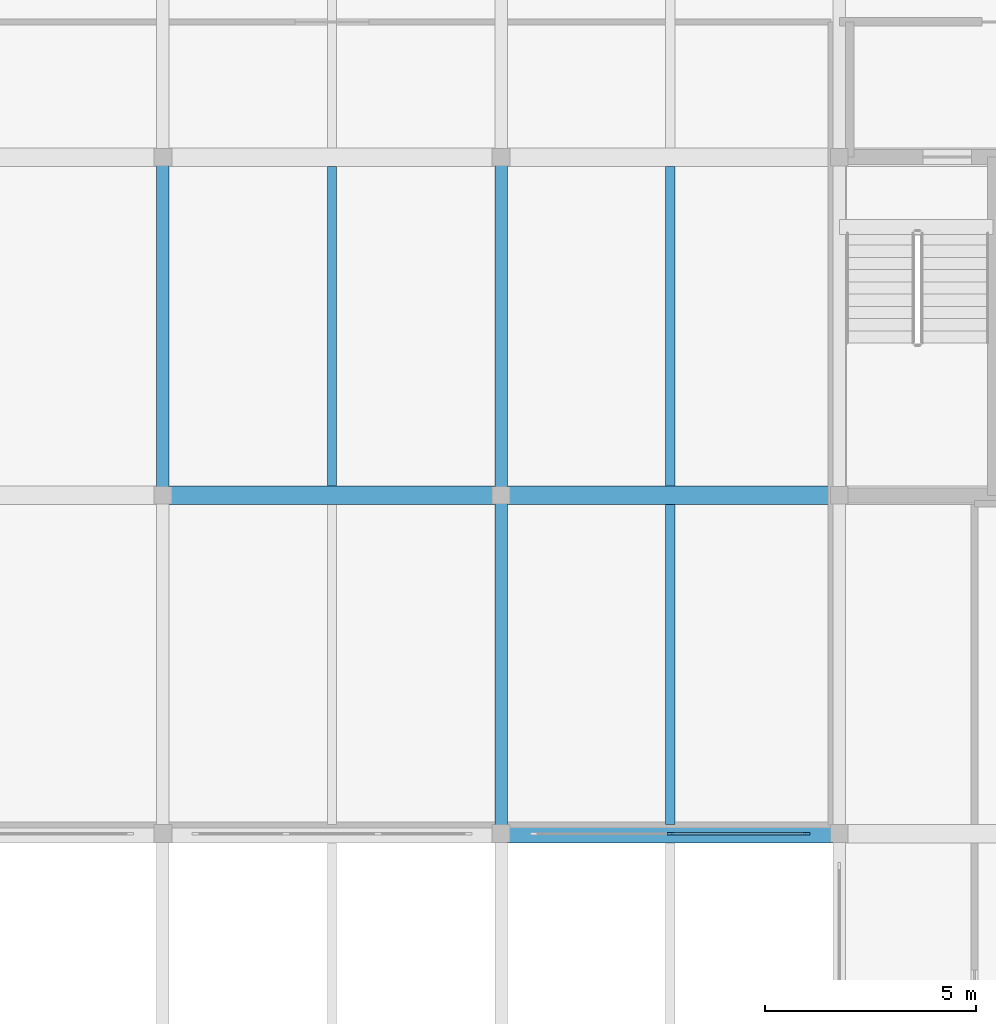
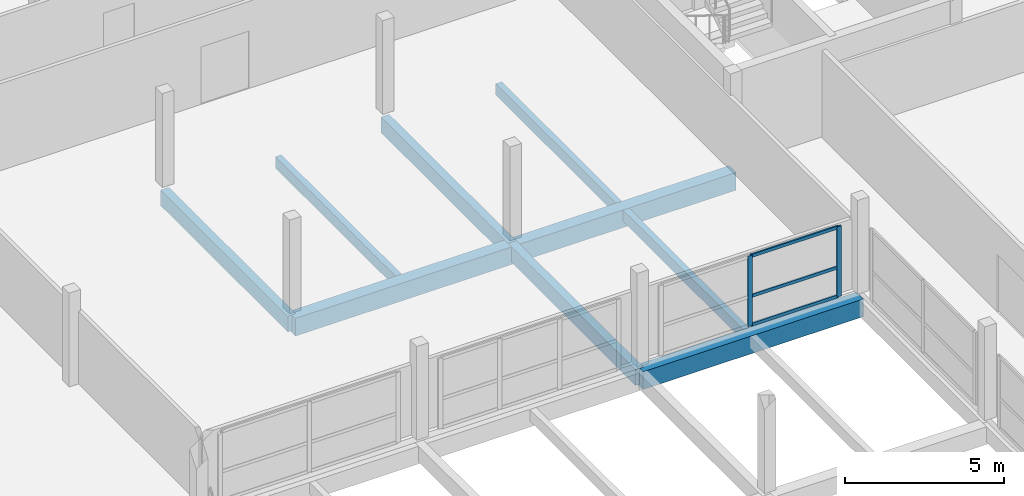
# One storey, part 12 of 51: 9 beams, 5 members, 1 element without a shape of its own.
"""IFC4 building model written with IfcOpenShell, lengths in metres."""

from ifc_helpers import new_model, si_unit, direction, frame, origin, origin_2d, place, context, subcontext, project, spatial, rectangle, extrude, material, material_profile, profile_set, type_object, element, aggregate, save


model = new_model("IFC4")

# Units and contexts
model_context = context("Model", 3, precision=1e-05, world=origin(), true_north=direction((0.0, 1.0)))
body_context = subcontext(model_context, "Body", "Model", "MODEL_VIEW")
ifc_project = project(units=[si_unit("LENGTHUNIT", "METRE"), si_unit("AREAUNIT", "SQUARE_METRE"), si_unit("VOLUMEUNIT", "CUBIC_METRE"), si_unit("PLANEANGLEUNIT", "RADIAN"), si_unit("MASSUNIT", "GRAM", prefix="KILO")], contexts=[model_context])

# Site, building, storey
site_placement = place(None, origin())
site = spatial("IfcSite", under=ifc_project, at=site_placement, CompositionType="ELEMENT")
building_placement = place(site_placement, origin())
building = spatial("IfcBuilding", under=site, at=building_placement, Name="Vharandega Faculty of Natural Sciences", CompositionType="ELEMENT")
storey_placement = place(building_placement, frame((0.0, 0.0, 14.39990234375)))
storey = spatial("IfcBuildingStorey", under=building, at=storey_placement, Name="L03", CompositionType="ELEMENT", Elevation=14.39990234375)

# Curtain wall, members
ifc_material_1 = material(Name="Aluminium and solar-control glass curtain wall", Category="aluminium")
curtain_wall_type = type_object("IfcCurtainWallType", Name="Unitised Curtain Wall System CW-27", PredefinedType="NOTDEFINED", material=ifc_material_1)
curtain_wall_placement = place(storey_placement, origin())
curtain_wall = element("IfcCurtainWall", 1, at=curtain_wall_placement, inside=storey, type_object=curtain_wall_type, Name="Curtain Wall CW-L03-166", PredefinedType="NOTDEFINED")
ifc_material_2 = material(Name="Thermally broken aluminium 6063-T6", Category="aluminium")
ifc_material_profile_1 = material_profile(ifc_material_2, rectangle(XDim=0.06005859375, YDim=0.159912109375, at=origin_2d()), Name="ALU 60x160")
ifc_profile_set_1 = profile_set([ifc_material_profile_1], Name="Thermally broken aluminium 6063-T6")
member_type_1 = type_object("IfcMemberType", Name="CW Mullion 60x160", PredefinedType="MULLION", material=ifc_profile_set_1)
member_1_placement = place(storey_placement, frame((28.0, 32.0, 0.0), z_axis=(0.0, 0.0, 1.0), x_axis=(0.0, 1.0, 0.0)))
member_1 = element("IfcMember", 2, at=member_1_placement, type_object=member_type_1, Name="CW-27 mullion 2", PredefinedType="MULLION", context=body_context, shape_type="SweptSolid", body=[
    extrude(rectangle(XDim=0.06005859375, YDim=0.159912109375, at=origin_2d()), origin(), (0.0, 0.0, 1.0), 2.7001953125),
])
member_2_placement = place(storey_placement, frame((31.22998046875, 32.0, 0.0), z_axis=(0.0, 0.0, 1.0), x_axis=(0.0, 1.0, 0.0)))
member_2 = element("IfcMember", 3, at=member_2_placement, type_object=member_type_1, Name="CW-27 mullion 3", PredefinedType="MULLION", context=body_context, shape_type="SweptSolid", body=[
    extrude(rectangle(XDim=0.06005859375, YDim=0.159912109375, at=origin_2d()), origin(), (0.0, 0.0, 1.0), 2.7001953125),
])
ifc_material_3 = material(Name="Thermally broken aluminium 6063-T6", Category="aluminium")
ifc_material_profile_2 = material_profile(ifc_material_3, rectangle(XDim=0.06005859375, YDim=0.1201171875, at=origin_2d()), Name="ALU 60x120")
ifc_profile_set_2 = profile_set([ifc_material_profile_2], Name="Thermally broken aluminium 6063-T6")
member_type_2 = type_object("IfcMemberType", Name="CW Transom 60x120", PredefinedType="USERDEFINED", material=ifc_profile_set_2)
member_3_placement = place(storey_placement, frame((28.030029296875, 32.0, 0.030029296875), z_axis=(1.0, 0.0, 0.0), x_axis=(0.0, 1.0, 0.0)))
member_3 = element("IfcMember", 4, at=member_3_placement, type_object=member_type_2, Name="CW-27 transom 2.1", ObjectType="TRANSOM", PredefinedType="USERDEFINED", context=body_context, shape_type="SweptSolid", body=[
    extrude(rectangle(XDim=0.06005859375, YDim=0.1201171875, at=origin_2d()), origin(), (0.0, 0.0, 1.0), 3.169921875),
])
member_4_placement = place(storey_placement, frame((28.030029296875, 32.0, 1.134033203125), z_axis=(1.0, 0.0, 0.0), x_axis=(0.0, 1.0, 0.0)))
member_4 = element("IfcMember", 5, at=member_4_placement, type_object=member_type_2, Name="CW-27 transom 2.2", ObjectType="TRANSOM", PredefinedType="USERDEFINED", context=body_context, shape_type="SweptSolid", body=[
    extrude(rectangle(XDim=0.06005859375, YDim=0.1201171875, at=origin_2d()), origin(), (0.0, 0.0, 1.0), 3.169921875),
])
member_5_placement = place(storey_placement, frame((28.030029296875, 32.0, 2.670166015625), z_axis=(1.0, 0.0, 0.0), x_axis=(0.0, 1.0, 0.0)))
member_5 = element("IfcMember", 6, at=member_5_placement, type_object=member_type_2, Name="CW-27 transom 2.3", ObjectType="TRANSOM", PredefinedType="USERDEFINED", context=body_context, shape_type="SweptSolid", body=[
    extrude(rectangle(XDim=0.06005859375, YDim=0.1201171875, at=origin_2d()), origin(), (0.0, 0.0, 1.0), 3.169921875),
])
aggregate(curtain_wall, [member_1, member_2, member_3, member_4, member_5])

# Beams
ifc_material_4 = material(Name="Glulam GL28h", Category="wood")
ifc_material_profile_3 = material_profile(ifc_material_4, rectangle(XDim=0.300048828125, YDim=0.60009765625, at=origin_2d()), Name="GL28h 300x600")
ifc_profile_set_3 = profile_set([ifc_material_profile_3], Name="Glulam GL28h")
beam_type_1 = type_object("IfcBeamType", Name="Glulam Floor Beam 300x600", PredefinedType="BEAM", material=ifc_profile_set_3)
for number, where, z_axis, x_axis, name in (
    (7, (16.0, 40.0, -0.539794921875), (0.0, 1.0, 0.0), (-1.0, 0.0, 0.0), "Beam L03 3/F-G"),
    (8, (24.0, 32.0, -0.539794921875), (0.0, 1.0, 0.0), (-1.0, 0.0, 0.0), "Beam L03 4/E-F"),
    (9, (24.0, 40.0, -0.539794921875), (0.0, 1.0, 0.0), (-1.0, 0.0, 0.0), "Beam L03 4/F-G"),
):
    element("IfcBeam", number, at=place(storey_placement, frame(where, z_axis=z_axis, x_axis=x_axis)), inside=storey, type_object=beam_type_1, Name=name, PredefinedType="BEAM", context=body_context, shape_type="SweptSolid", body=[
        extrude(rectangle(XDim=0.300048828125, YDim=0.60009765625, at=origin_2d()), origin(), (0.0, 0.0, 1.0), 8.0),
    ])
ifc_material_5 = material(Name="Glulam GL32h", Category="wood")
ifc_material_profile_4 = material_profile(ifc_material_5, rectangle(XDim=0.43994140625, YDim=0.679931640625, at=origin_2d()), Name="GL32h 440x680")
ifc_profile_set_4 = profile_set([ifc_material_profile_4], Name="Glulam GL32h")
beam_type_2 = type_object("IfcBeamType", Name="Glulam Girder 440x680", PredefinedType="BEAM", material=ifc_profile_set_4)
for number, where, z_axis, x_axis, name in (
    (10, (24.0, 32.0, -0.579833984375), (1.0, 0.0, 0.0), (0.0, 1.0, 0.0), "Beam L03 E/4-5"),
    (11, (16.0, 40.0, -0.579833984375), (1.0, 0.0, 0.0), (0.0, 1.0, 0.0), "Beam L03 F/3-4"),
    (12, (24.0, 40.0, -0.579833984375), (1.0, 0.0, 0.0), (0.0, 1.0, 0.0), "Beam L03 F/4-5"),
):
    element("IfcBeam", number, at=place(storey_placement, frame(where, z_axis=z_axis, x_axis=x_axis)), inside=storey, type_object=beam_type_2, Name=name, PredefinedType="BEAM", context=body_context, shape_type="SweptSolid", body=[
        extrude(rectangle(XDim=0.43994140625, YDim=0.679931640625, at=origin_2d()), origin(), (0.0, 0.0, 1.0), 8.0),
    ])
ifc_material_6 = material(Name="Glulam GL28h", Category="wood")
ifc_material_profile_5 = material_profile(ifc_material_6, rectangle(XDim=0.219970703125, YDim=0.43994140625, at=origin_2d()), Name="GL28h 220x440")
ifc_profile_set_5 = profile_set([ifc_material_profile_5], Name="Glulam GL28h")
beam_type_3 = type_object("IfcBeamType", Name="Glulam Secondary Joist 220x440", PredefinedType="JOIST", material=ifc_profile_set_5)
for number, where, z_axis, x_axis, name in (
    (13, (20.0, 40.219970703125, -0.4599609375), (0.0, 1.0, 0.0), (-1.0, 0.0, 0.0), "Secondary Joist L03 3-4/F-G"),
    (14, (28.0, 32.219970703125, -0.4599609375), (0.0, 1.0, 0.0), (-1.0, 0.0, 0.0), "Secondary Joist L03 4-5/E-F"),
    (15, (28.0, 40.219970703125, -0.4599609375), (0.0, 1.0, 0.0), (-1.0, 0.0, 0.0), "Secondary Joist L03 4-5/F-G"),
):
    element("IfcBeam", number, at=place(storey_placement, frame(where, z_axis=z_axis, x_axis=x_axis)), inside=storey, type_object=beam_type_3, Name=name, PredefinedType="JOIST", context=body_context, shape_type="SweptSolid", body=[
        extrude(rectangle(XDim=0.219970703125, YDim=0.43994140625, at=origin_2d()), origin(), (0.0, 0.0, 1.0), 7.56005859375),
    ])

save(model, "model.ifc")
